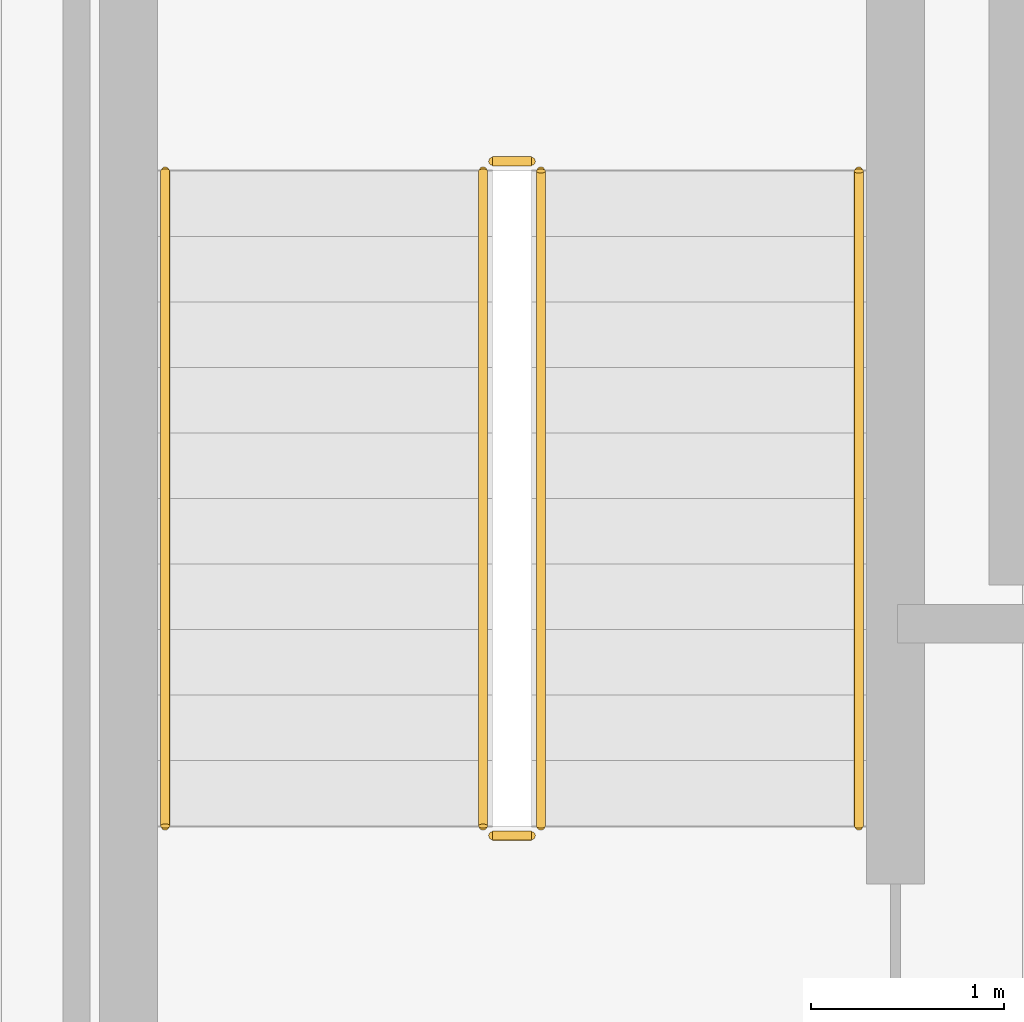
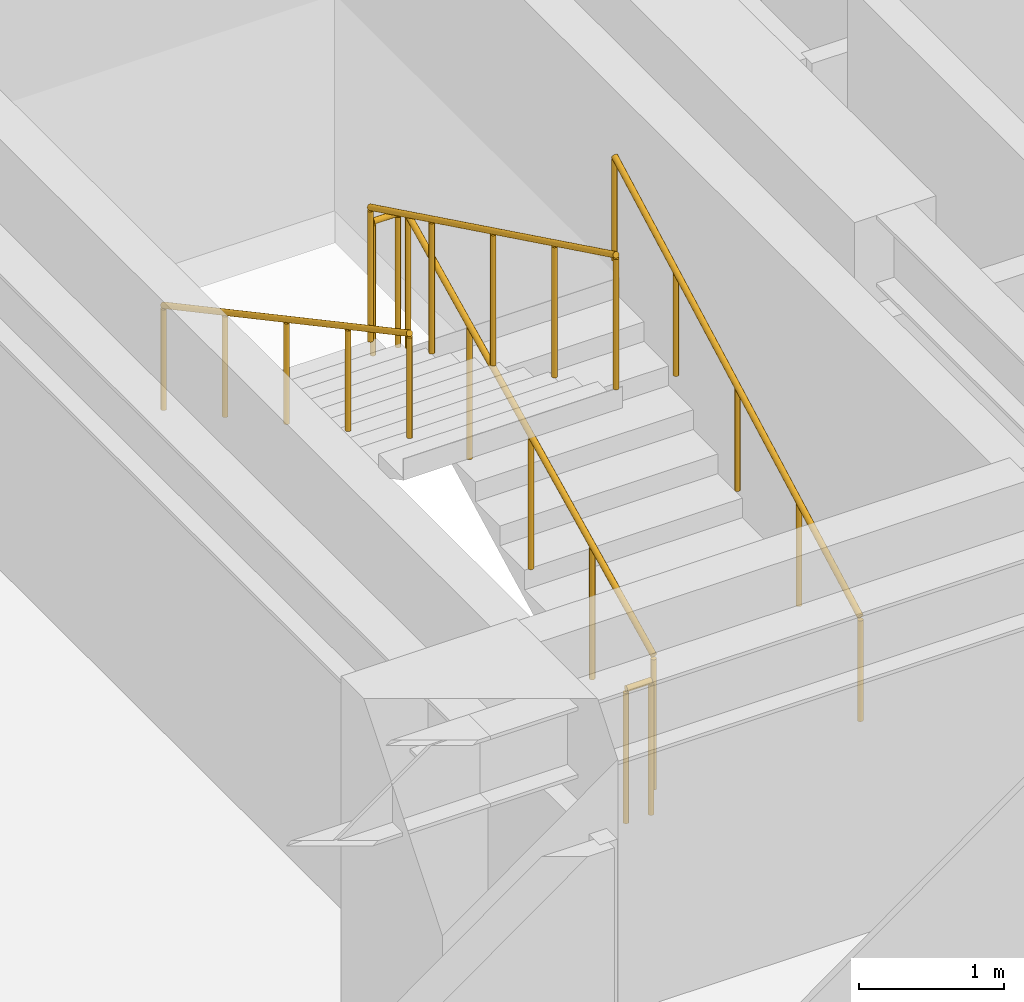
# One storey, part 42 of 43: 6 railings.
"""IFC4 building model written with IfcOpenShell, lengths in metres."""

from ifc_helpers import new_model, si_unit, direction, frame, origin, origin_2d, place, context, subcontext, project, spatial, circle, extrude, material, type_object, element, save


model = new_model("IFC4")

# Units and contexts
model_context = context("Model", 3, precision=1e-05, world=origin(), true_north=direction((0.0, 1.0)))
body_context = subcontext(model_context, "Body", "Model", "MODEL_VIEW")
ifc_project = project(units=[si_unit("LENGTHUNIT", "METRE"), si_unit("AREAUNIT", "SQUARE_METRE"), si_unit("VOLUMEUNIT", "CUBIC_METRE"), si_unit("PLANEANGLEUNIT", "RADIAN"), si_unit("MASSUNIT", "GRAM", prefix="KILO")], contexts=[model_context])

# Site, building, storey
site_placement = place(None, origin())
site = spatial("IfcSite", under=ifc_project, at=site_placement, CompositionType="ELEMENT")
building_placement = place(site_placement, origin())
building = spatial("IfcBuilding", under=site, at=building_placement, Name="Nahalor Promenade Grand Hotel", CompositionType="ELEMENT")
storey_placement = place(building_placement, frame((0.0, 0.0, 47.0)))
storey = spatial("IfcBuildingStorey", under=building, at=storey_placement, Name="L10", CompositionType="ELEMENT", Elevation=47.0)

# Railings
ifc_material = material(Name="Steel S355JR", Category="steel")
railing_type_1 = type_object("IfcRailingType", Name="Steel Stair Guardrail 1150 mm", PredefinedType="GUARDRAIL", material=ifc_material)
railing_1_placement = place(storey_placement, frame((5.75, 8.10009765625, 0.166015625)))
element("IfcRailing", 1, at=railing_1_placement, inside=storey, type_object=railing_type_1, Name="L10 ST1 stair guard 1", PredefinedType="GUARDRAIL", context=body_context, shape_type="SweptSolid", body=[
    extrude(circle(Radius=0.024048, at=origin_2d()), frame((0.0, 0.0, 1.1259765625), z_axis=(0.0, 0.898721922897, 0.438518990814), x_axis=(-1.0, 0.0, 0.0)), (0.0, 0.0, 1.0), 3.782958984375),
    extrude(circle(Radius=0.020996, at=origin_2d()), origin(), (0.0, 0.0, 1.0), 1.099853515625),
    extrude(circle(Radius=0.020996, at=origin_2d()), frame((0.0, 0.85009765625, 0.414794921875)), (0.0, 0.0, 1.0), 1.099853515625),
    extrude(circle(Radius=0.020996, at=origin_2d()), frame((0.0, 1.699951171875, 0.82958984375)), (0.0, 0.0, 1.0), 1.099853515625),
    extrude(circle(Radius=0.020996, at=origin_2d()), frame((0.0, 2.5498046875, 1.244140625)), (0.0, 0.0, 1.0), 1.099853515625),
    extrude(circle(Radius=0.020996, at=origin_2d()), frame((0.0, 3.39990234375, 1.658935546875)), (0.0, 0.0, 1.0), 1.099853515625),
])
railing_2_placement = place(storey_placement, frame((5.699951171875, 11.550048828125, 1.824951171875)))
element("IfcRailing", 2, at=railing_2_placement, inside=storey, type_object=railing_type_1, Name="L10 ST1 stair guard 2", PredefinedType="GUARDRAIL", context=body_context, shape_type="SweptSolid", body=[
    extrude(circle(Radius=0.024048, at=origin_2d()), frame((0.0, 0.0, 1.1259765625), z_axis=(-1.0, 0.0, 0.0), x_axis=(0.0, -1.0, 0.0)), (0.0, 0.0, 1.0), 0.199951171875),
    extrude(circle(Radius=0.020996, at=origin_2d()), origin(), (0.0, 0.0, 1.0), 1.099853515625),
    extrude(circle(Radius=0.020996, at=origin_2d()), frame((-0.199951171875, 0.0, 0.0)), (0.0, 0.0, 1.0), 1.099853515625),
])
railing_3_placement = place(storey_placement, frame((5.449951171875, 11.5, 1.990966796875)))
element("IfcRailing", 3, at=railing_3_placement, inside=storey, type_object=railing_type_1, Name="L10 ST1 stair guard 3", PredefinedType="GUARDRAIL", context=body_context, shape_type="SweptSolid", body=[
    extrude(circle(Radius=0.024048, at=origin_2d()), frame((0.0, 0.0, 1.1259765625), z_axis=(0.0, -0.898721922897, 0.438518990814), x_axis=(1.0, 0.0, 0.0)), (0.0, 0.0, 1.0), 3.782958984375),
    extrude(circle(Radius=0.020996, at=origin_2d()), origin(), (0.0, 0.0, 1.0), 1.099853515625),
    extrude(circle(Radius=0.020996, at=origin_2d()), frame((0.0, -0.85009765625, 0.414794921875)), (0.0, 0.0, 1.0), 1.099853515625),
    extrude(circle(Radius=0.020996, at=origin_2d()), frame((0.0, -1.699951171875, 0.82958984375)), (0.0, 0.0, 1.0), 1.099853515625),
    extrude(circle(Radius=0.020996, at=origin_2d()), frame((0.0, -2.5498046875, 1.244140625)), (0.0, 0.0, 1.0), 1.099853515625),
    extrude(circle(Radius=0.020996, at=origin_2d()), frame((0.0, -3.39990234375, 1.658935546875)), (0.0, 0.0, 1.0), 1.099853515625),
])
railing_4_placement = place(storey_placement, frame((5.699951171875, 8.050048828125, 0.0)))
element("IfcRailing", 4, at=railing_4_placement, inside=storey, type_object=railing_type_1, Name="L10 ST1 stair guard 4", PredefinedType="GUARDRAIL", context=body_context, shape_type="SweptSolid", body=[
    extrude(circle(Radius=0.024048, at=origin_2d()), frame((0.0, 0.0, 1.1259765625), z_axis=(-1.0, 0.0, 0.0), x_axis=(0.0, -1.0, 0.0)), (0.0, 0.0, 1.0), 0.199951171875),
    extrude(circle(Radius=0.020996, at=origin_2d()), origin(), (0.0, 0.0, 1.0), 1.099853515625),
    extrude(circle(Radius=0.020996, at=origin_2d()), frame((-0.199951171875, 0.0, 0.0)), (0.0, 0.0, 1.0), 1.099853515625),
])
railing_type_2 = type_object("IfcRailingType", Name="Steel Stair Handrail 900 mm", PredefinedType="HANDRAIL", material=ifc_material)
railing_5_placement = place(storey_placement, frame((7.39990234375, 8.10009765625, 0.166015625)))
element("IfcRailing", 5, at=railing_5_placement, inside=storey, type_object=railing_type_2, Name="L10 ST1 stair handrail 1", PredefinedType="HANDRAIL", context=body_context, shape_type="SweptSolid", body=[
    extrude(circle(Radius=0.024048, at=origin_2d()), frame((0.0, 0.0, 0.8759765625), z_axis=(0.0, 0.881094038095, 0.47294111265), x_axis=(-1.0, 0.0, 0.0)), (0.0, 0.0, 1.0), 3.858642578125),
    extrude(circle(Radius=0.020996, at=origin_2d()), origin(), (0.0, 0.0, 1.0), 0.849853515625),
    extrude(circle(Radius=0.020996, at=origin_2d()), frame((0.0, 0.85009765625, 0.456298828125)), (0.0, 0.0, 1.0), 0.849853515625),
    extrude(circle(Radius=0.020996, at=origin_2d()), frame((0.0, 1.699951171875, 0.91259765625)), (0.0, 0.0, 1.0), 0.849853515625),
    extrude(circle(Radius=0.020996, at=origin_2d()), frame((0.0, 2.5498046875, 1.36865234375)), (0.0, 0.0, 1.0), 0.849853515625),
    extrude(circle(Radius=0.020996, at=origin_2d()), frame((0.0, 3.39990234375, 1.824951171875)), (0.0, 0.0, 1.0), 0.849853515625),
])
railing_6_placement = place(storey_placement, frame((3.800048828125, 11.5, 1.990966796875)))
element("IfcRailing", 6, at=railing_6_placement, inside=storey, type_object=railing_type_2, Name="L10 ST1 stair handrail 2", PredefinedType="HANDRAIL", context=body_context, shape_type="SweptSolid", body=[
    extrude(circle(Radius=0.024048, at=origin_2d()), frame((0.0, 0.0, 0.8759765625), z_axis=(0.0, -0.881094038095, 0.47294111265), x_axis=(1.0, 0.0, 0.0)), (0.0, 0.0, 1.0), 3.858642578125),
    extrude(circle(Radius=0.020996, at=origin_2d()), origin(), (0.0, 0.0, 1.0), 0.849853515625),
    extrude(circle(Radius=0.020996, at=origin_2d()), frame((0.0, -0.85009765625, 0.456298828125)), (0.0, 0.0, 1.0), 0.849853515625),
    extrude(circle(Radius=0.020996, at=origin_2d()), frame((0.0, -1.699951171875, 0.91259765625)), (0.0, 0.0, 1.0), 0.849853515625),
    extrude(circle(Radius=0.020996, at=origin_2d()), frame((0.0, -2.5498046875, 1.36865234375)), (0.0, 0.0, 1.0), 0.849853515625),
    extrude(circle(Radius=0.020996, at=origin_2d()), frame((0.0, -3.39990234375, 1.824951171875)), (0.0, 0.0, 1.0), 0.849853515625),
])

save(model, "model.ifc")
